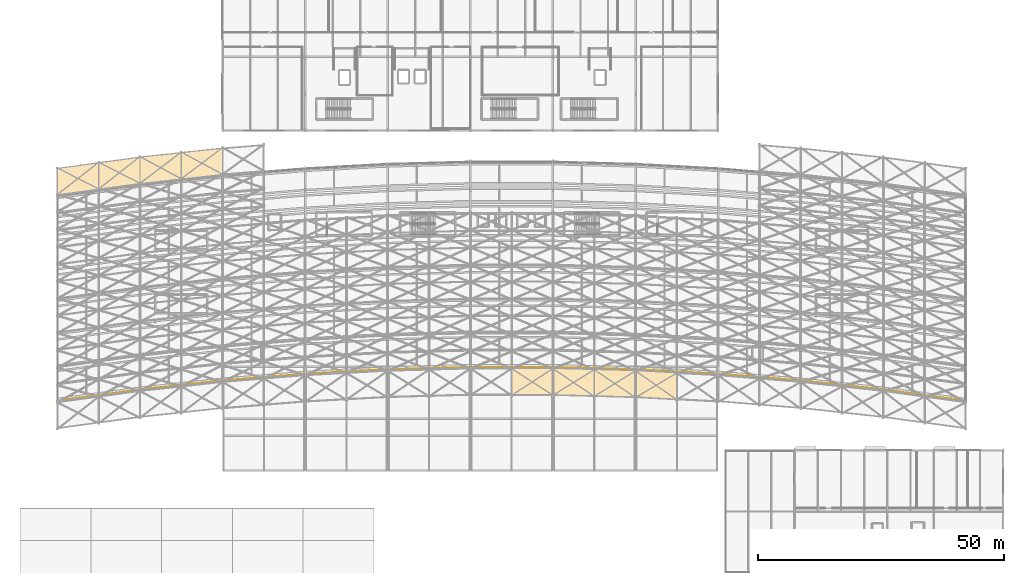
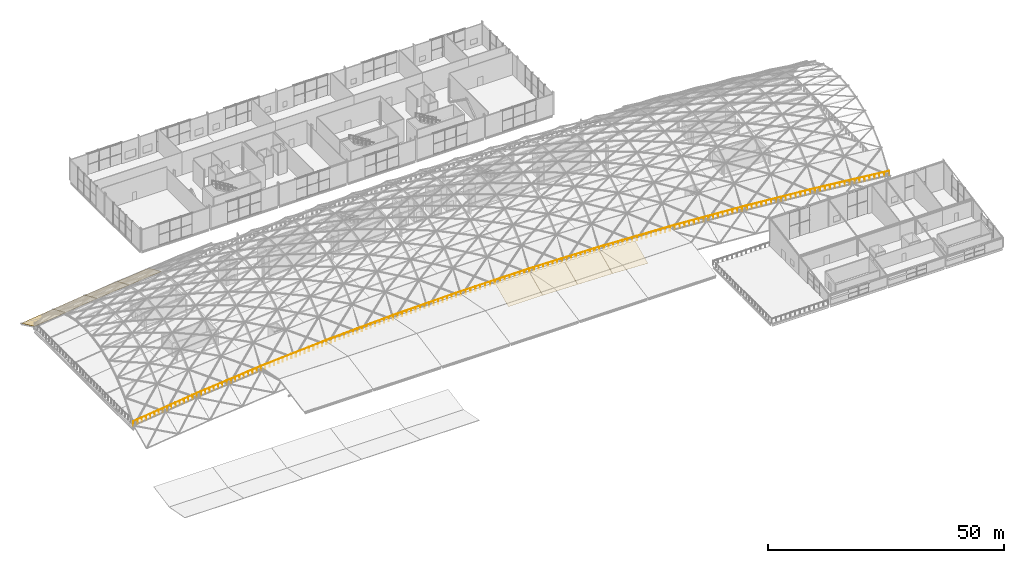
# One storey, part 91 of 100: 8 coverings, 1 railing, 5 elements without a shape of their own.
"""IFC4 building model written with IfcOpenShell, lengths in metres."""

import ifcopenshell
import ifcopenshell.guid

model = None  # the IFC model being written
_history = None  # IfcOwnerHistory: only IFC2X3 demands one
_inside = {}  # id of a spatial element -> (the spatial element, [elements in it])
_under = {}  # id of a project, library or spatial element -> (it, [spatial elements below it])
_declared = {}  # id of a project -> (the project, [libraries it declares])
_typed = {}  # id of a type object -> (the type object, [elements of that type])
_made_of = {}  # id of a material, layer set ... -> (it, [elements and type objects made of it])


def new_model(schema):
    """Start an empty IFC model of exactly this schema.

    Asked for "IFC4X3", IfcOpenShell would pick the latest addendum, in which some entities
    have other attributes; the version numbers below select the first issue.
    IFC2X3 requires an IfcOwnerHistory on every rooted entity: one is made here for all.
    """
    global model, _history
    if schema == "IFC4X3":
        model = ifcopenshell.file(schema_version=(4, 3, 0, 0))
    else:
        model = ifcopenshell.file(schema=schema)
    _inside.clear()
    _under.clear()
    _declared.clear()
    _typed.clear()
    _made_of.clear()
    _history = None
    if model.schema == "IFC2X3":
        org = make("IfcOrganization", Name="unknown")
        user = make(
            "IfcPersonAndOrganization",
            ThePerson=make("IfcPerson", FamilyName="unknown"),
            TheOrganization=org,
        )
        app = make(
            "IfcApplication",
            ApplicationDeveloper=org,
            Version="unknown",
            ApplicationFullName="unknown",
            ApplicationIdentifier="unknown",
        )
        _history = make(
            "IfcOwnerHistory",
            OwningUser=user,
            OwningApplication=app,
            ChangeAction="ADDED",
            CreationDate=0,
        )
    return model


def make(cls, **values):
    """One entity of the class cls with the attributes given. An attribute that is None is left unset."""
    return model.create_entity(
        cls, **{name: value for name, value in values.items() if value is not None}
    )


def rooted(cls, **values):
    """An entity with a GlobalId (a new one), such as an element, a storey or a relation."""
    return make(cls, GlobalId=ifcopenshell.guid.new(), OwnerHistory=_history, **values)


def si_unit(unit_type, name, prefix=None):
    """IfcSIUnit, for example si_unit("LENGTHUNIT", "METRE", prefix="MILLI")."""
    return make("IfcSIUnit", UnitType=unit_type, Prefix=prefix, Name=name)


def assignment(units):
    """IfcUnitAssignment: the units of a project."""
    return None if units is None else make("IfcUnitAssignment", Units=units)


def point(xyz):
    """IfcCartesianPoint."""
    return None if xyz is None else make("IfcCartesianPoint", Coordinates=xyz)


def direction(xyz):
    """IfcDirection."""
    return None if xyz is None else make("IfcDirection", DirectionRatios=xyz)


def frame(location, z_axis=None, x_axis=None):
    """IfcAxis2Placement3D, a coordinate frame: its origin and axes. An axis left out is left unset."""
    return make(
        "IfcAxis2Placement3D",
        Location=point(location),
        Axis=direction(z_axis),
        RefDirection=direction(x_axis),
    )


def frame_2d(location, x_axis=None):
    """IfcAxis2Placement2D, a coordinate frame in the plane: its origin and x axis."""
    return make(
        "IfcAxis2Placement2D", Location=point(location), RefDirection=direction(x_axis)
    )


def origin():
    """The frame at (0, 0, 0) with its axes left unset."""
    return frame((0.0, 0.0, 0.0))


def origin_2d():
    """The frame at (0, 0) in the plane with its x axis left unset."""
    return frame_2d((0.0, 0.0))


def place(relative_to, where):
    """IfcLocalPlacement: puts the frame where relative to a parent placement (None: the world)."""
    return make(
        "IfcLocalPlacement", PlacementRelTo=relative_to, RelativePlacement=where
    )


def context(
    kind, dimensions, precision=None, world=None, true_north=None, identifier=None
):
    """IfcGeometricRepresentationContext, for example the 3D "Model" context."""
    return make(
        "IfcGeometricRepresentationContext",
        ContextIdentifier=identifier,
        ContextType=kind,
        CoordinateSpaceDimension=dimensions,
        Precision=precision,
        WorldCoordinateSystem=world,
        TrueNorth=true_north,
    )


def subcontext(parent, identifier, kind, view, scale=None):
    """IfcGeometricRepresentationSubContext, for example "Body" below "Model"."""
    return make(
        "IfcGeometricRepresentationSubContext",
        ContextIdentifier=identifier,
        ContextType=kind,
        ParentContext=parent,
        TargetScale=scale,
        TargetView=view,
    )


def project(units=None, contexts=None):
    """IfcProject with its units and contexts."""
    return rooted(
        "IfcProject",
        Name="project",
        RepresentationContexts=contexts,
        UnitsInContext=assignment(units),
    )


def spatial(cls, under=None, at=None, **own):
    """A site, building, storey or space (cls), placed at a placement, below another one or the project."""
    s = rooted(cls, ObjectPlacement=at, **own)
    if under is not None:
        _under.setdefault(under.id(), (under, []))[1].append(s)
    return s


def polyline(points):
    """IfcPolyline through the points."""
    return make("IfcPolyline", Points=[point(p) for p in points])


def profile(cls, at=None, kind="AREA", **sizes):
    """A parametric profile (cls). Its sizes go by their IFC names, for example OverallWidth=200.0."""
    return make(cls, ProfileType=kind, Position=at, **sizes)


def circle(**sizes):
    """IfcCircleProfileDef."""
    return profile("IfcCircleProfileDef", **sizes)


def outline(outer, holes=None, kind="AREA"):
    """IfcArbitraryClosedProfileDef: a profile drawn as a closed curve; with holes, ...WithVoids."""
    if holes is None:
        return make("IfcArbitraryClosedProfileDef", ProfileType=kind, OuterCurve=outer)
    return make(
        "IfcArbitraryProfileDefWithVoids",
        ProfileType=kind,
        OuterCurve=outer,
        InnerCurves=holes,
    )


def extrude(swept, where, along, depth):
    """IfcExtrudedAreaSolid: the profile swept, set in the frame where, extruded along a direction by depth."""
    return make(
        "IfcExtrudedAreaSolid",
        SweptArea=swept,
        Position=where,
        ExtrudedDirection=direction(along),
        Depth=depth,
    )


def shape(context_of_items, identifier, shape_type, items):
    """IfcShapeRepresentation: the items that make up one representation, for example the "Body"."""
    return make(
        "IfcShapeRepresentation",
        ContextOfItems=context_of_items,
        RepresentationIdentifier=identifier,
        RepresentationType=shape_type,
        Items=items,
    )


def material(Name=None, Category=None):
    """IfcMaterial."""
    return make("IfcMaterial", Name=Name, Category=Category)


def layer(
    of_material, thickness, ventilated=None, Name=None, Category=None, Priority=None
):
    """IfcMaterialLayer: one layer of a wall or slab, of a material (None: an air gap)."""
    return make(
        "IfcMaterialLayer",
        Material=of_material,
        LayerThickness=thickness,
        IsVentilated=ventilated,
        Name=Name,
        Category=Category,
        Priority=Priority,
    )


def layer_set(layers, Name=None):
    """IfcMaterialLayerSet."""
    return make("IfcMaterialLayerSet", MaterialLayers=layers, LayerSetName=Name)


def made_of(thing, what):
    """Note that an element or type object is made of a material, layer set ...; save() writes the relation."""
    if what is not None:
        _made_of.setdefault(what.id(), (what, []))[1].append(thing)
    return thing


def type_object(cls, material=None, **own):
    """A type object (cls), such as IfcWallType, which elements share."""
    return made_of(rooted(cls, **own), material)


def element(
    cls,
    number,
    at=None,
    inside=None,
    cuts=None,
    type_object=None,
    material=None,
    context=None,
    identifier="Body",
    shape_type=None,
    held_by="IfcProductDefinitionShape",
    body=None,
    shapes=None,
    **own,
):
    """One element of the class cls, such as IfcWall. Its Tag is "e" and its number.

    at: its placement. inside: the storey or other place that contains it. cuts: it is an
    opening in that element (IfcRelVoidsElement). A single representation is given by context,
    identifier, shape_type and body (its items); several are given by shapes. held_by: the class
    of the entity that holds the representations. save() writes the other relations.
    """
    e = rooted(cls, Tag="e%d" % number, ObjectPlacement=at, **own)
    if body is not None:
        shapes = [shape(context, identifier, shape_type, body)]
    if shapes is not None:
        e.Representation = make(held_by, Representations=shapes)
    if inside is not None:
        _inside.setdefault(inside.id(), (inside, []))[1].append(e)
    if cuts is not None:
        rooted(
            "IfcRelVoidsElement", RelatingBuildingElement=cuts, RelatedOpeningElement=e
        )
    if type_object is not None:
        _typed.setdefault(type_object.id(), (type_object, []))[1].append(e)
    return made_of(e, material)


def aggregate(whole, parts):
    """IfcRelAggregates: a whole, such as a stair, and the parts it consists of."""
    return rooted("IfcRelAggregates", RelatingObject=whole, RelatedObjects=parts)


def save(model, path):
    """Write the relations noted so far, then the file.

    IfcRelAggregates (storeys below a building ...), IfcRelContainedInSpatialStructure (elements
    in a storey), IfcRelDefinesByType, IfcRelAssociatesMaterial and IfcRelDeclares: one each for
    every whole, place, type object, material and project.
    """
    for whole, parts in _under.values():
        aggregate(whole, parts)
    for where, things in _inside.values():
        rooted(
            "IfcRelContainedInSpatialStructure",
            RelatedElements=things,
            RelatingStructure=where,
        )
    for kind, things in _typed.values():
        rooted("IfcRelDefinesByType", RelatedObjects=things, RelatingType=kind)
    for what, things in _made_of.values():
        rooted("IfcRelAssociatesMaterial", RelatedObjects=things, RelatingMaterial=what)
    for by, libraries in _declared.values():
        rooted("IfcRelDeclares", RelatingContext=by, RelatedDefinitions=libraries)
    model.write(path)


model = new_model("IFC4")

# Units and contexts
model_context = context("Model", 3, precision=1e-05, world=origin(), true_north=direction((0.0, 1.0)))
body_context = subcontext(model_context, "Body", "Model", "MODEL_VIEW")
ifc_project = project(units=[si_unit("LENGTHUNIT", "METRE"), si_unit("AREAUNIT", "SQUARE_METRE"), si_unit("VOLUMEUNIT", "CUBIC_METRE"), si_unit("PLANEANGLEUNIT", "RADIAN"), si_unit("MASSUNIT", "GRAM", prefix="KILO")], contexts=[model_context])

# Site, building, storey
site_placement = place(None, origin())
site = spatial("IfcSite", under=ifc_project, at=site_placement, CompositionType="ELEMENT")
building_placement = place(site_placement, origin())
building = spatial("IfcBuilding", under=site, at=building_placement, Name="Kimbaza Rail Terminus", CompositionType="ELEMENT")
storey_placement = place(building_placement, frame((0.0, 0.0, 10.800048828125)))
storey = spatial("IfcBuildingStorey", under=building, at=storey_placement, Name="L02", CompositionType="ELEMENT", Elevation=10.800048828125)

# Roof, coverings
ifc_material_1 = material(Name="White painted steel S355", Category="steel")
roof_type = type_object("IfcRoofType", Name="ARC-RF-BARREL", PredefinedType="BARREL_ROOF", material=ifc_material_1)
roof_1_placement = place(storey_placement, origin())
roof_1 = element("IfcRoof", 1, at=roof_1_placement, inside=storey, type_object=roof_type, Name="Train Shed Woven Barrel Vault Roof Bay 01", PredefinedType="BARREL_ROOF")
ifc_material_2 = material(Name="Pearl-white fluoropolymer standing-seam roofing", Category="aluminium")
ifc_layer = layer(ifc_material_2, 0.02490234375)
ifc_layer_set = layer_set([ifc_layer], Name="Pearl-white fluoropolymer standing-seam roofing")
covering_type = type_object("IfcCoveringType", Name="ARC-COV-VAULT", PredefinedType="ROOFING", material=ifc_layer_set)
covering_1_placement = place(storey_placement, frame((21.60498046875, 89.942626953125, 0.146484375), z_axis=(-0.056562472149, 0.41314047139, 0.908909037057), x_axis=(0.990757747619, 0.135643228847, 0.0)))
covering_1 = element("IfcCovering", 2, at=covering_1_placement, type_object=covering_type, Name="Vault Standing-Seam Eave Roofing Bay 01", PredefinedType="ROOFING", context=body_context, shape_type="SweptSolid", body=[
    extrude(outline(polyline([(0.0, 0.0), (8.468403844339614, -2.220446049250313e-16), (9.214441602997093, 5.995283784997782), (0.7460377586574786, 5.995283784997782), (0.0, 0.0)])), origin(), (0.0, 0.0, -1.0), 0.02490234375),
])
covering_2_placement = place(storey_placement, frame((30.0048828125, 91.09130859375, 0.146484375), z_axis=(-0.056562472149, 0.41314047139, 0.908909037057), x_axis=(0.990757747619, 0.135643228847, 0.0)))
covering_2 = element("IfcCovering", 3, at=covering_2_placement, type_object=covering_type, Name="Vault Standing-Seam Eave Roofing Bay 01", PredefinedType="ROOFING", context=body_context, shape_type="SweptSolid", body=[
    extrude(outline(polyline([(0.0, 0.0), (8.468403844339614, -2.220446049250313e-16), (9.214441602997093, 5.995283784997782), (0.7460377586574786, 5.995283784997782), (0.0, 0.0)])), origin(), (0.0, 0.0, -1.0), 0.02490234375),
])
aggregate(roof_1, [covering_1, covering_2])

roof_2_placement = place(storey_placement, origin())
roof_2 = element("IfcRoof", 4, at=roof_2_placement, inside=storey, type_object=roof_type, Name="Train Shed Woven Barrel Vault Roof Bay 02", PredefinedType="BARREL_ROOF")
covering_3_placement = place(storey_placement, frame((38.405029296875, 92.239990234375, 0.146484375), z_axis=(-0.045133319265, 0.413381267737, 0.909438789021), x_axis=(0.994092533341, 0.108535870365, 0.0)))
covering_3 = element("IfcCovering", 5, at=covering_3_placement, type_object=covering_type, Name="Vault Standing-Seam Eave Roofing Bay 02", PredefinedType="ROOFING", context=body_context, shape_type="SweptSolid", body=[
    extrude(outline(polyline([(0.0, 0.0), (8.43975012057354, 0.0), (9.036697407581325, 6.0119592427539), (0.5969472870077849, 6.0119592427539), (0.0, 0.0)])), origin(), (0.0, 0.0, -1.0), 0.02490234375),
])
covering_4_placement = place(storey_placement, frame((46.804931640625, 93.156005859375, 0.146484375), z_axis=(-0.045132008627, 0.413381292239, 0.909438842927), x_axis=(0.994092874093, 0.108532749334, 0.0)))
covering_4 = element("IfcCovering", 6, at=covering_4_placement, type_object=covering_type, Name="Vault Standing-Seam Eave Roofing Bay 02", PredefinedType="ROOFING", context=body_context, shape_type="SweptSolid", body=[
    extrude(outline(polyline([(0.0, 0.0), (8.439992818987536, 1.1102230246251565e-16), (9.036922940321972, 6.011960947165547), (0.5969301213344362, 6.011960947165546), (0.0, 0.0)])), origin(), (0.0, 0.0, -1.0), 0.02490234375),
])
aggregate(roof_2, [covering_3, covering_4])

# Roof, covering
roof_3_placement = place(storey_placement, origin())
roof_3 = element("IfcRoof", 7, at=roof_3_placement, inside=storey, type_object=roof_type, Name="Train Shed Woven Barrel Vault Roof Bay 06", PredefinedType="BARREL_ROOF")
covering_5_placement = place(storey_placement, frame((114.0048828125, 49.187255859375, -2.377197265625), z_axis=(0.0, -0.413802944301, 0.910366477463), x_axis=(1.0, 0.0, 0.0)))
covering_5 = element("IfcCovering", 8, at=covering_5_placement, type_object=covering_type, Name="Vault Standing-Seam Eave Roofing Bay 06", PredefinedType="ROOFING", context=body_context, shape_type="SweptSolid", body=[
    extrude(outline(polyline([(0.0, 0.0), (8.39013671875, 0.0), (8.39013671875, 6.041522986797286), (0.0, 6.041522986797286), (0.0, 0.0)])), origin(), (0.0, 0.0, -1.0), 0.02490234375),
])
aggregate(roof_3, [covering_5])

# Roof, coverings
roof_4_placement = place(storey_placement, origin())
roof_4 = element("IfcRoof", 9, at=roof_4_placement, inside=storey, type_object=roof_type, Name="Train Shed Woven Barrel Vault Roof Bay 07", PredefinedType="BARREL_ROOF")
covering_6_placement = place(storey_placement, frame((122.405029296875, 49.187255859375, -2.377197265625), z_axis=(-0.011221884471, -0.413776888235, 0.910309154118), x_axis=(0.99963243882, -0.027110648421, 0.0)))
covering_6 = element("IfcCovering", 10, at=covering_6_placement, type_object=covering_type, Name="Vault Standing-Seam Eave Roofing Bay 07", PredefinedType="ROOFING", context=body_context, shape_type="SweptSolid", body=[
    extrude(outline(polyline([(0.0, 0.0), (8.39297751083847, -2.7755575615628914e-17), (8.243868944524086, 6.0396826601611835), (-0.14910856631438502, 6.0396826601611835), (0.0, 0.0)])), origin(), (0.0, 0.0, -1.0), 0.02490234375),
])
covering_7_placement = place(storey_placement, frame((130.804931640625, 48.959716796875, -2.377197265625), z_axis=(-0.011233596751, -0.413776833816, 0.910309034395), x_axis=(0.9996316715, -0.027138926541, 0.0)))
covering_7 = element("IfcCovering", 11, at=covering_7_placement, type_object=covering_type, Name="Vault Standing-Seam Eave Roofing Bay 07", PredefinedType="ROOFING", context=body_context, shape_type="SweptSolid", body=[
    extrude(outline(polyline([(0.0, 0.0), (8.393228183895808, 0.0), (8.243964087920045, 6.039678818418455), (-0.1492640959757627, 6.039678818418454), (0.0, 0.0)])), origin(), (0.0, 0.0, -1.0), 0.02490234375),
])
aggregate(roof_4, [covering_6, covering_7])

# Roof, covering
roof_5_placement = place(storey_placement, origin())
roof_5 = element("IfcRoof", 12, at=roof_5_placement, inside=storey, type_object=roof_type, Name="Train Shed Woven Barrel Vault Roof Bay 08", PredefinedType="BARREL_ROOF")
covering_8_placement = place(storey_placement, frame((139.205078125, 48.73193359375, -2.377197265625), z_axis=(-0.022487659777, -0.413698302063, 0.910136264538), x_axis=(0.998525889878, -0.054277502176, 0.0)))
covering_8 = element("IfcCovering", 13, at=covering_8_placement, type_object=covering_type, Name="Vault Standing-Seam Eave Roofing Bay 08", PredefinedType="ROOFING", context=body_context, shape_type="SweptSolid", body=[
    extrude(outline(polyline([(0.0, 0.0), (8.402278461849958, -5.551115123125783e-17), (8.103752199879613, 6.034143027051481), (-0.2985262619703441, 6.034143027051481), (0.0, 0.0)])), origin(), (0.0, 0.0, -1.0), 0.02490234375),
])
aggregate(roof_5, [covering_8])

# Railing
ifc_material_3 = material(Name="Painted galvanised steel platform perimeter guard", Category="steel")
railing_type = type_object("IfcRailingType", Name="ARC-RL-BAL115", PredefinedType="BALUSTRADE", material=ifc_material_3)
railing_placement = place(storey_placement, frame((21.60009765625, 47.97607421875, 0.0)))
element("IfcRailing", 14, at=railing_placement, inside=storey, type_object=railing_type, Name="Viaduct South Platform Edge Guard", PredefinedType="BALUSTRADE", context=body_context, shape_type="SweptSolid", body=[
    extrude(circle(Radius=0.02392578125, at=origin_2d()), frame((0.0, 0.0, 1.1259765625), z_axis=(0.990776995919, 0.135502562178, 0.0), x_axis=(-0.135502562178, 0.990776995919, 0.0)), (0.0, 0.0, 1.0), 16.956298828125),
    extrude(circle(Radius=0.02392578125, at=origin_2d()), frame((16.7998046875, 2.297607421875, 1.1259765625), z_axis=(0.994108206645, 0.108392220575, 0.0), x_axis=(-0.108392220575, 0.994108206645, 0.0)), (0.0, 0.0, 1.0), 16.899658203125),
    extrude(circle(Radius=0.02392578125, at=origin_2d()), frame((33.599853515625, 4.12939453125, 1.1259765625), z_axis=(0.99668976743, 0.081298877604, 0.0), x_axis=(-0.081298877604, 0.99668976743, 0.0)), (0.0, 0.0, 1.0), 16.85595703125),
    extrude(circle(Radius=0.02392578125, at=origin_2d()), frame((50.39990234375, 5.499755859375, 1.1259765625), z_axis=(0.998530221346, 0.054197758806, 0.0), x_axis=(-0.054197758806, 0.998530221346, 0.0)), (0.0, 0.0, 1.0), 16.82470703125),
    extrude(circle(Radius=0.02392578125, at=origin_2d()), frame((67.199951171875, 6.41162109375, 1.1259765625), z_axis=(0.999632931162, 0.027092488579, 0.0), x_axis=(-0.027092488579, 0.999632931162, 0.0)), (0.0, 0.0, 1.0), 16.80615234375),
    extrude(circle(Radius=0.02392578125, at=origin_2d()), frame((84.0, 6.866943359375, 1.1259765625), z_axis=(1.0, 0.0, 0.0), x_axis=(0.0, 1.0, 0.0)), (0.0, 0.0, 1.0), 16.7998046875),
    extrude(circle(Radius=0.02392578125, at=origin_2d()), frame((100.7998046875, 6.866943359375, 1.1259765625), z_axis=(0.999632931162, -0.027092488579, 0.0), x_axis=(0.027092488579, 0.999632931162, 0.0)), (0.0, 0.0, 1.0), 16.80615234375),
    extrude(circle(Radius=0.02392578125, at=origin_2d()), frame((117.599853515625, 6.41162109375, 1.1259765625), z_axis=(0.998530221346, -0.054197758806, 0.0), x_axis=(0.054197758806, 0.998530221346, 0.0)), (0.0, 0.0, 1.0), 16.82470703125),
    extrude(circle(Radius=0.02392578125, at=origin_2d()), frame((134.39990234375, 5.499755859375, 1.1259765625), z_axis=(0.99668976743, -0.081298877604, 0.0), x_axis=(0.081298877604, 0.99668976743, 0.0)), (0.0, 0.0, 1.0), 16.85595703125),
    extrude(circle(Radius=0.02392578125, at=origin_2d()), frame((151.199951171875, 4.12939453125, 1.1259765625), z_axis=(0.994108206645, -0.108392220575, 0.0), x_axis=(0.108392220575, 0.994108206645, 0.0)), (0.0, 0.0, 1.0), 16.899658203125),
    extrude(circle(Radius=0.02392578125, at=origin_2d()), frame((168.0, 2.297607421875, 1.1259765625), z_axis=(0.990776995919, -0.135502562178, 0.0), x_axis=(0.135502562178, 0.990776995919, 0.0)), (0.0, 0.0, 1.0), 16.956298828125),
    extrude(circle(Radius=0.02099609375, at=origin_2d()), origin(), (0.0, 0.0, 1.0), 1.101806640625),
    extrude(circle(Radius=0.02099609375, at=origin_2d()), frame((1.119873046875, 0.153076171875, 0.0)), (0.0, 0.0, 1.0), 1.101806640625),
    extrude(circle(Radius=0.02099609375, at=origin_2d()), frame((2.239990234375, 0.306396484375, 0.0)), (0.0, 0.0, 1.0), 1.101806640625),
    extrude(circle(Radius=0.02099609375, at=origin_2d()), frame((3.35986328125, 0.45947265625, 0.0)), (0.0, 0.0, 1.0), 1.101806640625),
    extrude(circle(Radius=0.02099609375, at=origin_2d()), frame((4.47998046875, 0.61279296875, 0.0)), (0.0, 0.0, 1.0), 1.101806640625),
    extrude(circle(Radius=0.02099609375, at=origin_2d()), frame((5.599853515625, 0.765869140625, 0.0)), (0.0, 0.0, 1.0), 1.101806640625),
    extrude(circle(Radius=0.02099609375, at=origin_2d()), frame((6.719970703125, 0.9189453125, 0.0)), (0.0, 0.0, 1.0), 1.101806640625),
    extrude(circle(Radius=0.02099609375, at=origin_2d()), frame((7.83984375, 1.072265625, 0.0)), (0.0, 0.0, 1.0), 1.101806640625),
    extrude(circle(Radius=0.02099609375, at=origin_2d()), frame((8.9599609375, 1.225341796875, 0.0)), (0.0, 0.0, 1.0), 1.101806640625),
    extrude(circle(Radius=0.02099609375, at=origin_2d()), frame((10.079833984375, 1.378662109375, 0.0)), (0.0, 0.0, 1.0), 1.101806640625),
    extrude(circle(Radius=0.02099609375, at=origin_2d()), frame((11.199951171875, 1.53173828125, 0.0)), (0.0, 0.0, 1.0), 1.101806640625),
    extrude(circle(Radius=0.02099609375, at=origin_2d()), frame((12.31982421875, 1.684814453125, 0.0)), (0.0, 0.0, 1.0), 1.101806640625),
    extrude(circle(Radius=0.02099609375, at=origin_2d()), frame((13.43994140625, 1.838134765625, 0.0)), (0.0, 0.0, 1.0), 1.101806640625),
    extrude(circle(Radius=0.02099609375, at=origin_2d()), frame((14.559814453125, 1.9912109375, 0.0)), (0.0, 0.0, 1.0), 1.101806640625),
    extrude(circle(Radius=0.02099609375, at=origin_2d()), frame((15.679931640625, 2.14453125, 0.0)), (0.0, 0.0, 1.0), 1.101806640625),
    extrude(circle(Radius=0.02099609375, at=origin_2d()), frame((16.7998046875, 2.297607421875, 0.0)), (0.0, 0.0, 1.0), 1.101806640625),
    extrude(circle(Radius=0.02099609375, at=origin_2d()), frame((17.919921875, 2.419677734375, 0.0)), (0.0, 0.0, 1.0), 1.101806640625),
    extrude(circle(Radius=0.02099609375, at=origin_2d()), frame((19.039794921875, 2.541748046875, 0.0)), (0.0, 0.0, 1.0), 1.101806640625),
    extrude(circle(Radius=0.02099609375, at=origin_2d()), frame((20.159912109375, 2.6640625, 0.0)), (0.0, 0.0, 1.0), 1.101806640625),
    extrude(circle(Radius=0.02099609375, at=origin_2d()), frame((21.27978515625, 2.7861328125, 0.0)), (0.0, 0.0, 1.0), 1.101806640625),
    extrude(circle(Radius=0.02099609375, at=origin_2d()), frame((22.39990234375, 2.908203125, 0.0)), (0.0, 0.0, 1.0), 1.101806640625),
    extrude(circle(Radius=0.02099609375, at=origin_2d()), frame((23.519775390625, 3.0302734375, 0.0)), (0.0, 0.0, 1.0), 1.101806640625),
    extrude(circle(Radius=0.02099609375, at=origin_2d()), frame((24.639892578125, 3.15234375, 0.0)), (0.0, 0.0, 1.0), 1.101806640625),
    extrude(circle(Radius=0.02099609375, at=origin_2d()), frame((25.759765625, 3.274658203125, 0.0)), (0.0, 0.0, 1.0), 1.101806640625),
    extrude(circle(Radius=0.02099609375, at=origin_2d()), frame((26.8798828125, 3.396728515625, 0.0)), (0.0, 0.0, 1.0), 1.101806640625),
    extrude(circle(Radius=0.02099609375, at=origin_2d()), frame((27.999755859375, 3.518798828125, 0.0)), (0.0, 0.0, 1.0), 1.101806640625),
    extrude(circle(Radius=0.02099609375, at=origin_2d()), frame((29.119873046875, 3.640869140625, 0.0)), (0.0, 0.0, 1.0), 1.101806640625),
    extrude(circle(Radius=0.02099609375, at=origin_2d()), frame((30.23974609375, 3.762939453125, 0.0)), (0.0, 0.0, 1.0), 1.101806640625),
    extrude(circle(Radius=0.02099609375, at=origin_2d()), frame((31.35986328125, 3.88525390625, 0.0)), (0.0, 0.0, 1.0), 1.101806640625),
    extrude(circle(Radius=0.02099609375, at=origin_2d()), frame((32.479736328125, 4.00732421875, 0.0)), (0.0, 0.0, 1.0), 1.101806640625),
    extrude(circle(Radius=0.02099609375, at=origin_2d()), frame((33.599853515625, 4.12939453125, 0.0)), (0.0, 0.0, 1.0), 1.101806640625),
    extrude(circle(Radius=0.02099609375, at=origin_2d()), frame((34.719970703125, 4.220703125, 0.0)), (0.0, 0.0, 1.0), 1.101806640625),
    extrude(circle(Radius=0.02099609375, at=origin_2d()), frame((35.83984375, 4.31201171875, 0.0)), (0.0, 0.0, 1.0), 1.101806640625),
    extrude(circle(Radius=0.02099609375, at=origin_2d()), frame((36.9599609375, 4.403564453125, 0.0)), (0.0, 0.0, 1.0), 1.101806640625),
    extrude(circle(Radius=0.02099609375, at=origin_2d()), frame((38.079833984375, 4.494873046875, 0.0)), (0.0, 0.0, 1.0), 1.101806640625),
    extrude(circle(Radius=0.02099609375, at=origin_2d()), frame((39.199951171875, 4.586181640625, 0.0)), (0.0, 0.0, 1.0), 1.101806640625),
    extrude(circle(Radius=0.02099609375, at=origin_2d()), frame((40.31982421875, 4.677490234375, 0.0)), (0.0, 0.0, 1.0), 1.101806640625),
    extrude(circle(Radius=0.02099609375, at=origin_2d()), frame((41.43994140625, 4.768798828125, 0.0)), (0.0, 0.0, 1.0), 1.101806640625),
    extrude(circle(Radius=0.02099609375, at=origin_2d()), frame((42.559814453125, 4.8603515625, 0.0)), (0.0, 0.0, 1.0), 1.101806640625),
    extrude(circle(Radius=0.02099609375, at=origin_2d()), frame((43.679931640625, 4.95166015625, 0.0)), (0.0, 0.0, 1.0), 1.101806640625),
    extrude(circle(Radius=0.02099609375, at=origin_2d()), frame((44.7998046875, 5.04296875, 0.0)), (0.0, 0.0, 1.0), 1.101806640625),
    extrude(circle(Radius=0.02099609375, at=origin_2d()), frame((45.919921875, 5.13427734375, 0.0)), (0.0, 0.0, 1.0), 1.101806640625),
    extrude(circle(Radius=0.02099609375, at=origin_2d()), frame((47.039794921875, 5.2255859375, 0.0)), (0.0, 0.0, 1.0), 1.101806640625),
    extrude(circle(Radius=0.02099609375, at=origin_2d()), frame((48.159912109375, 5.317138671875, 0.0)), (0.0, 0.0, 1.0), 1.101806640625),
    extrude(circle(Radius=0.02099609375, at=origin_2d()), frame((49.27978515625, 5.408447265625, 0.0)), (0.0, 0.0, 1.0), 1.101806640625),
    extrude(circle(Radius=0.02099609375, at=origin_2d()), frame((50.39990234375, 5.499755859375, 0.0)), (0.0, 0.0, 1.0), 1.101806640625),
    extrude(circle(Radius=0.02099609375, at=origin_2d()), frame((51.52001953125, 5.560546875, 0.0)), (0.0, 0.0, 1.0), 1.101806640625),
    extrude(circle(Radius=0.02099609375, at=origin_2d()), frame((52.639892578125, 5.621337890625, 0.0)), (0.0, 0.0, 1.0), 1.101806640625),
    extrude(circle(Radius=0.02099609375, at=origin_2d()), frame((53.760009765625, 5.68212890625, 0.0)), (0.0, 0.0, 1.0), 1.101806640625),
    extrude(circle(Radius=0.02099609375, at=origin_2d()), frame((54.8798828125, 5.742919921875, 0.0)), (0.0, 0.0, 1.0), 1.101806640625),
    extrude(circle(Radius=0.02099609375, at=origin_2d()), frame((56.0, 5.8037109375, 0.0)), (0.0, 0.0, 1.0), 1.101806640625),
    extrude(circle(Radius=0.02099609375, at=origin_2d()), frame((57.119873046875, 5.864501953125, 0.0)), (0.0, 0.0, 1.0), 1.101806640625),
    extrude(circle(Radius=0.02099609375, at=origin_2d()), frame((58.239990234375, 5.92529296875, 0.0)), (0.0, 0.0, 1.0), 1.101806640625),
    extrude(circle(Radius=0.02099609375, at=origin_2d()), frame((59.35986328125, 5.986083984375, 0.0)), (0.0, 0.0, 1.0), 1.101806640625),
    extrude(circle(Radius=0.02099609375, at=origin_2d()), frame((60.47998046875, 6.046875, 0.0)), (0.0, 0.0, 1.0), 1.101806640625),
    extrude(circle(Radius=0.02099609375, at=origin_2d()), frame((61.599853515625, 6.107666015625, 0.0)), (0.0, 0.0, 1.0), 1.101806640625),
    extrude(circle(Radius=0.02099609375, at=origin_2d()), frame((62.719970703125, 6.16845703125, 0.0)), (0.0, 0.0, 1.0), 1.101806640625),
    extrude(circle(Radius=0.02099609375, at=origin_2d()), frame((63.83984375, 6.229248046875, 0.0)), (0.0, 0.0, 1.0), 1.101806640625),
    extrude(circle(Radius=0.02099609375, at=origin_2d()), frame((64.9599609375, 6.2900390625, 0.0)), (0.0, 0.0, 1.0), 1.101806640625),
    extrude(circle(Radius=0.02099609375, at=origin_2d()), frame((66.079833984375, 6.350830078125, 0.0)), (0.0, 0.0, 1.0), 1.101806640625),
    extrude(circle(Radius=0.02099609375, at=origin_2d()), frame((67.199951171875, 6.41162109375, 0.0)), (0.0, 0.0, 1.0), 1.101806640625),
    extrude(circle(Radius=0.02099609375, at=origin_2d()), frame((68.320068359375, 6.44189453125, 0.0)), (0.0, 0.0, 1.0), 1.101806640625),
    extrude(circle(Radius=0.02099609375, at=origin_2d()), frame((69.43994140625, 6.472412109375, 0.0)), (0.0, 0.0, 1.0), 1.101806640625),
    extrude(circle(Radius=0.02099609375, at=origin_2d()), frame((70.56005859375, 6.502685546875, 0.0)), (0.0, 0.0, 1.0), 1.101806640625),
    extrude(circle(Radius=0.02099609375, at=origin_2d()), frame((71.679931640625, 6.532958984375, 0.0)), (0.0, 0.0, 1.0), 1.101806640625),
    extrude(circle(Radius=0.02099609375, at=origin_2d()), frame((72.800048828125, 6.5634765625, 0.0)), (0.0, 0.0, 1.0), 1.101806640625),
    extrude(circle(Radius=0.02099609375, at=origin_2d()), frame((73.919921875, 6.59375, 0.0)), (0.0, 0.0, 1.0), 1.101806640625),
    extrude(circle(Radius=0.02099609375, at=origin_2d()), frame((75.0400390625, 6.6240234375, 0.0)), (0.0, 0.0, 1.0), 1.101806640625),
    extrude(circle(Radius=0.02099609375, at=origin_2d()), frame((76.159912109375, 6.654541015625, 0.0)), (0.0, 0.0, 1.0), 1.101806640625),
    extrude(circle(Radius=0.02099609375, at=origin_2d()), frame((77.280029296875, 6.684814453125, 0.0)), (0.0, 0.0, 1.0), 1.101806640625),
    extrude(circle(Radius=0.02099609375, at=origin_2d()), frame((78.39990234375, 6.715087890625, 0.0)), (0.0, 0.0, 1.0), 1.101806640625),
    extrude(circle(Radius=0.02099609375, at=origin_2d()), frame((79.52001953125, 6.74560546875, 0.0)), (0.0, 0.0, 1.0), 1.101806640625),
    extrude(circle(Radius=0.02099609375, at=origin_2d()), frame((80.639892578125, 6.77587890625, 0.0)), (0.0, 0.0, 1.0), 1.101806640625),
    extrude(circle(Radius=0.02099609375, at=origin_2d()), frame((81.760009765625, 6.80615234375, 0.0)), (0.0, 0.0, 1.0), 1.101806640625),
    extrude(circle(Radius=0.02099609375, at=origin_2d()), frame((82.8798828125, 6.836669921875, 0.0)), (0.0, 0.0, 1.0), 1.101806640625),
    extrude(circle(Radius=0.02099609375, at=origin_2d()), frame((84.0, 6.866943359375, 0.0)), (0.0, 0.0, 1.0), 1.101806640625),
    extrude(circle(Radius=0.02099609375, at=origin_2d()), frame((85.199951171875, 6.866943359375, 0.0)), (0.0, 0.0, 1.0), 1.101806640625),
    extrude(circle(Radius=0.02099609375, at=origin_2d()), frame((86.39990234375, 6.866943359375, 0.0)), (0.0, 0.0, 1.0), 1.101806640625),
    extrude(circle(Radius=0.02099609375, at=origin_2d()), frame((87.599853515625, 6.866943359375, 0.0)), (0.0, 0.0, 1.0), 1.101806640625),
    extrude(circle(Radius=0.02099609375, at=origin_2d()), frame((88.800048828125, 6.866943359375, 0.0)), (0.0, 0.0, 1.0), 1.101806640625),
    extrude(circle(Radius=0.02099609375, at=origin_2d()), frame((90.0, 6.866943359375, 0.0)), (0.0, 0.0, 1.0), 1.101806640625),
    extrude(circle(Radius=0.02099609375, at=origin_2d()), frame((91.199951171875, 6.866943359375, 0.0)), (0.0, 0.0, 1.0), 1.101806640625),
    extrude(circle(Radius=0.02099609375, at=origin_2d()), frame((92.39990234375, 6.866943359375, 0.0)), (0.0, 0.0, 1.0), 1.101806640625),
    extrude(circle(Radius=0.02099609375, at=origin_2d()), frame((93.599853515625, 6.866943359375, 0.0)), (0.0, 0.0, 1.0), 1.101806640625),
    extrude(circle(Radius=0.02099609375, at=origin_2d()), frame((94.7998046875, 6.866943359375, 0.0)), (0.0, 0.0, 1.0), 1.101806640625),
    extrude(circle(Radius=0.02099609375, at=origin_2d()), frame((95.999755859375, 6.866943359375, 0.0)), (0.0, 0.0, 1.0), 1.101806640625),
    extrude(circle(Radius=0.02099609375, at=origin_2d()), frame((97.199951171875, 6.866943359375, 0.0)), (0.0, 0.0, 1.0), 1.101806640625),
    extrude(circle(Radius=0.02099609375, at=origin_2d()), frame((98.39990234375, 6.866943359375, 0.0)), (0.0, 0.0, 1.0), 1.101806640625),
    extrude(circle(Radius=0.02099609375, at=origin_2d()), frame((99.599853515625, 6.866943359375, 0.0)), (0.0, 0.0, 1.0), 1.101806640625),
    extrude(circle(Radius=0.02099609375, at=origin_2d()), frame((100.7998046875, 6.866943359375, 0.0)), (0.0, 0.0, 1.0), 1.101806640625),
    extrude(circle(Radius=0.02099609375, at=origin_2d()), frame((101.919921875, 6.836669921875, 0.0)), (0.0, 0.0, 1.0), 1.101806640625),
    extrude(circle(Radius=0.02099609375, at=origin_2d()), frame((103.039794921875, 6.80615234375, 0.0)), (0.0, 0.0, 1.0), 1.101806640625),
    extrude(circle(Radius=0.02099609375, at=origin_2d()), frame((104.159912109375, 6.77587890625, 0.0)), (0.0, 0.0, 1.0), 1.101806640625),
    extrude(circle(Radius=0.02099609375, at=origin_2d()), frame((105.27978515625, 6.74560546875, 0.0)), (0.0, 0.0, 1.0), 1.101806640625),
    extrude(circle(Radius=0.02099609375, at=origin_2d()), frame((106.39990234375, 6.715087890625, 0.0)), (0.0, 0.0, 1.0), 1.101806640625),
    extrude(circle(Radius=0.02099609375, at=origin_2d()), frame((107.519775390625, 6.684814453125, 0.0)), (0.0, 0.0, 1.0), 1.101806640625),
    extrude(circle(Radius=0.02099609375, at=origin_2d()), frame((108.639892578125, 6.654541015625, 0.0)), (0.0, 0.0, 1.0), 1.101806640625),
    extrude(circle(Radius=0.02099609375, at=origin_2d()), frame((109.759765625, 6.6240234375, 0.0)), (0.0, 0.0, 1.0), 1.101806640625),
    extrude(circle(Radius=0.02099609375, at=origin_2d()), frame((110.8798828125, 6.59375, 0.0)), (0.0, 0.0, 1.0), 1.101806640625),
    extrude(circle(Radius=0.02099609375, at=origin_2d()), frame((111.999755859375, 6.5634765625, 0.0)), (0.0, 0.0, 1.0), 1.101806640625),
    extrude(circle(Radius=0.02099609375, at=origin_2d()), frame((113.119873046875, 6.532958984375, 0.0)), (0.0, 0.0, 1.0), 1.101806640625),
    extrude(circle(Radius=0.02099609375, at=origin_2d()), frame((114.23974609375, 6.502685546875, 0.0)), (0.0, 0.0, 1.0), 1.101806640625),
    extrude(circle(Radius=0.02099609375, at=origin_2d()), frame((115.35986328125, 6.472412109375, 0.0)), (0.0, 0.0, 1.0), 1.101806640625),
    extrude(circle(Radius=0.02099609375, at=origin_2d()), frame((116.479736328125, 6.44189453125, 0.0)), (0.0, 0.0, 1.0), 1.101806640625),
    extrude(circle(Radius=0.02099609375, at=origin_2d()), frame((117.599853515625, 6.41162109375, 0.0)), (0.0, 0.0, 1.0), 1.101806640625),
    extrude(circle(Radius=0.02099609375, at=origin_2d()), frame((118.719970703125, 6.350830078125, 0.0)), (0.0, 0.0, 1.0), 1.101806640625),
    extrude(circle(Radius=0.02099609375, at=origin_2d()), frame((119.83984375, 6.2900390625, 0.0)), (0.0, 0.0, 1.0), 1.101806640625),
    extrude(circle(Radius=0.02099609375, at=origin_2d()), frame((120.9599609375, 6.229248046875, 0.0)), (0.0, 0.0, 1.0), 1.101806640625),
    extrude(circle(Radius=0.02099609375, at=origin_2d()), frame((122.079833984375, 6.16845703125, 0.0)), (0.0, 0.0, 1.0), 1.101806640625),
    extrude(circle(Radius=0.02099609375, at=origin_2d()), frame((123.199951171875, 6.107666015625, 0.0)), (0.0, 0.0, 1.0), 1.101806640625),
    extrude(circle(Radius=0.02099609375, at=origin_2d()), frame((124.31982421875, 6.046875, 0.0)), (0.0, 0.0, 1.0), 1.101806640625),
    extrude(circle(Radius=0.02099609375, at=origin_2d()), frame((125.43994140625, 5.986083984375, 0.0)), (0.0, 0.0, 1.0), 1.101806640625),
    extrude(circle(Radius=0.02099609375, at=origin_2d()), frame((126.559814453125, 5.92529296875, 0.0)), (0.0, 0.0, 1.0), 1.101806640625),
    extrude(circle(Radius=0.02099609375, at=origin_2d()), frame((127.679931640625, 5.864501953125, 0.0)), (0.0, 0.0, 1.0), 1.101806640625),
    extrude(circle(Radius=0.02099609375, at=origin_2d()), frame((128.7998046875, 5.8037109375, 0.0)), (0.0, 0.0, 1.0), 1.101806640625),
    extrude(circle(Radius=0.02099609375, at=origin_2d()), frame((129.919921875, 5.742919921875, 0.0)), (0.0, 0.0, 1.0), 1.101806640625),
    extrude(circle(Radius=0.02099609375, at=origin_2d()), frame((131.039794921875, 5.68212890625, 0.0)), (0.0, 0.0, 1.0), 1.101806640625),
    extrude(circle(Radius=0.02099609375, at=origin_2d()), frame((132.159912109375, 5.621337890625, 0.0)), (0.0, 0.0, 1.0), 1.101806640625),
    extrude(circle(Radius=0.02099609375, at=origin_2d()), frame((133.27978515625, 5.560546875, 0.0)), (0.0, 0.0, 1.0), 1.101806640625),
    extrude(circle(Radius=0.02099609375, at=origin_2d()), frame((134.39990234375, 5.499755859375, 0.0)), (0.0, 0.0, 1.0), 1.101806640625),
    extrude(circle(Radius=0.02099609375, at=origin_2d()), frame((135.52001953125, 5.408447265625, 0.0)), (0.0, 0.0, 1.0), 1.101806640625),
    extrude(circle(Radius=0.02099609375, at=origin_2d()), frame((136.639892578125, 5.317138671875, 0.0)), (0.0, 0.0, 1.0), 1.101806640625),
    extrude(circle(Radius=0.02099609375, at=origin_2d()), frame((137.760009765625, 5.2255859375, 0.0)), (0.0, 0.0, 1.0), 1.101806640625),
    extrude(circle(Radius=0.02099609375, at=origin_2d()), frame((138.8798828125, 5.13427734375, 0.0)), (0.0, 0.0, 1.0), 1.101806640625),
    extrude(circle(Radius=0.02099609375, at=origin_2d()), frame((140.0, 5.04296875, 0.0)), (0.0, 0.0, 1.0), 1.101806640625),
    extrude(circle(Radius=0.02099609375, at=origin_2d()), frame((141.119873046875, 4.95166015625, 0.0)), (0.0, 0.0, 1.0), 1.101806640625),
    extrude(circle(Radius=0.02099609375, at=origin_2d()), frame((142.239990234375, 4.8603515625, 0.0)), (0.0, 0.0, 1.0), 1.101806640625),
    extrude(circle(Radius=0.02099609375, at=origin_2d()), frame((143.35986328125, 4.768798828125, 0.0)), (0.0, 0.0, 1.0), 1.101806640625),
    extrude(circle(Radius=0.02099609375, at=origin_2d()), frame((144.47998046875, 4.677490234375, 0.0)), (0.0, 0.0, 1.0), 1.101806640625),
    extrude(circle(Radius=0.02099609375, at=origin_2d()), frame((145.599853515625, 4.586181640625, 0.0)), (0.0, 0.0, 1.0), 1.101806640625),
    extrude(circle(Radius=0.02099609375, at=origin_2d()), frame((146.719970703125, 4.494873046875, 0.0)), (0.0, 0.0, 1.0), 1.101806640625),
    extrude(circle(Radius=0.02099609375, at=origin_2d()), frame((147.83984375, 4.403564453125, 0.0)), (0.0, 0.0, 1.0), 1.101806640625),
    extrude(circle(Radius=0.02099609375, at=origin_2d()), frame((148.9599609375, 4.31201171875, 0.0)), (0.0, 0.0, 1.0), 1.101806640625),
    extrude(circle(Radius=0.02099609375, at=origin_2d()), frame((150.079833984375, 4.220703125, 0.0)), (0.0, 0.0, 1.0), 1.101806640625),
    extrude(circle(Radius=0.02099609375, at=origin_2d()), frame((151.199951171875, 4.12939453125, 0.0)), (0.0, 0.0, 1.0), 1.101806640625),
    extrude(circle(Radius=0.02099609375, at=origin_2d()), frame((152.320068359375, 4.00732421875, 0.0)), (0.0, 0.0, 1.0), 1.101806640625),
    extrude(circle(Radius=0.02099609375, at=origin_2d()), frame((153.43994140625, 3.88525390625, 0.0)), (0.0, 0.0, 1.0), 1.101806640625),
    extrude(circle(Radius=0.02099609375, at=origin_2d()), frame((154.56005859375, 3.762939453125, 0.0)), (0.0, 0.0, 1.0), 1.101806640625),
    extrude(circle(Radius=0.02099609375, at=origin_2d()), frame((155.679931640625, 3.640869140625, 0.0)), (0.0, 0.0, 1.0), 1.101806640625),
    extrude(circle(Radius=0.02099609375, at=origin_2d()), frame((156.800048828125, 3.518798828125, 0.0)), (0.0, 0.0, 1.0), 1.101806640625),
    extrude(circle(Radius=0.02099609375, at=origin_2d()), frame((157.919921875, 3.396728515625, 0.0)), (0.0, 0.0, 1.0), 1.101806640625),
    extrude(circle(Radius=0.02099609375, at=origin_2d()), frame((159.0400390625, 3.274658203125, 0.0)), (0.0, 0.0, 1.0), 1.101806640625),
    extrude(circle(Radius=0.02099609375, at=origin_2d()), frame((160.159912109375, 3.15234375, 0.0)), (0.0, 0.0, 1.0), 1.101806640625),
    extrude(circle(Radius=0.02099609375, at=origin_2d()), frame((161.280029296875, 3.0302734375, 0.0)), (0.0, 0.0, 1.0), 1.101806640625),
    extrude(circle(Radius=0.02099609375, at=origin_2d()), frame((162.39990234375, 2.908203125, 0.0)), (0.0, 0.0, 1.0), 1.101806640625),
    extrude(circle(Radius=0.02099609375, at=origin_2d()), frame((163.52001953125, 2.7861328125, 0.0)), (0.0, 0.0, 1.0), 1.101806640625),
    extrude(circle(Radius=0.02099609375, at=origin_2d()), frame((164.639892578125, 2.6640625, 0.0)), (0.0, 0.0, 1.0), 1.101806640625),
    extrude(circle(Radius=0.02099609375, at=origin_2d()), frame((165.760009765625, 2.541748046875, 0.0)), (0.0, 0.0, 1.0), 1.101806640625),
    extrude(circle(Radius=0.02099609375, at=origin_2d()), frame((166.8798828125, 2.419677734375, 0.0)), (0.0, 0.0, 1.0), 1.101806640625),
    extrude(circle(Radius=0.02099609375, at=origin_2d()), frame((168.0, 2.297607421875, 0.0)), (0.0, 0.0, 1.0), 1.101806640625),
    extrude(circle(Radius=0.02099609375, at=origin_2d()), frame((169.119873046875, 2.14453125, 0.0)), (0.0, 0.0, 1.0), 1.101806640625),
    extrude(circle(Radius=0.02099609375, at=origin_2d()), frame((170.239990234375, 1.9912109375, 0.0)), (0.0, 0.0, 1.0), 1.101806640625),
    extrude(circle(Radius=0.02099609375, at=origin_2d()), frame((171.35986328125, 1.838134765625, 0.0)), (0.0, 0.0, 1.0), 1.101806640625),
    extrude(circle(Radius=0.02099609375, at=origin_2d()), frame((172.47998046875, 1.684814453125, 0.0)), (0.0, 0.0, 1.0), 1.101806640625),
    extrude(circle(Radius=0.02099609375, at=origin_2d()), frame((173.599853515625, 1.53173828125, 0.0)), (0.0, 0.0, 1.0), 1.101806640625),
    extrude(circle(Radius=0.02099609375, at=origin_2d()), frame((174.719970703125, 1.378662109375, 0.0)), (0.0, 0.0, 1.0), 1.101806640625),
    extrude(circle(Radius=0.02099609375, at=origin_2d()), frame((175.83984375, 1.225341796875, 0.0)), (0.0, 0.0, 1.0), 1.101806640625),
    extrude(circle(Radius=0.02099609375, at=origin_2d()), frame((176.9599609375, 1.072265625, 0.0)), (0.0, 0.0, 1.0), 1.101806640625),
    extrude(circle(Radius=0.02099609375, at=origin_2d()), frame((178.079833984375, 0.9189453125, 0.0)), (0.0, 0.0, 1.0), 1.101806640625),
    extrude(circle(Radius=0.02099609375, at=origin_2d()), frame((179.199951171875, 0.765869140625, 0.0)), (0.0, 0.0, 1.0), 1.101806640625),
    extrude(circle(Radius=0.02099609375, at=origin_2d()), frame((180.31982421875, 0.61279296875, 0.0)), (0.0, 0.0, 1.0), 1.101806640625),
    extrude(circle(Radius=0.02099609375, at=origin_2d()), frame((181.43994140625, 0.45947265625, 0.0)), (0.0, 0.0, 1.0), 1.101806640625),
    extrude(circle(Radius=0.02099609375, at=origin_2d()), frame((182.559814453125, 0.306396484375, 0.0)), (0.0, 0.0, 1.0), 1.101806640625),
    extrude(circle(Radius=0.02099609375, at=origin_2d()), frame((183.679931640625, 0.153076171875, 0.0)), (0.0, 0.0, 1.0), 1.101806640625),
    extrude(circle(Radius=0.02099609375, at=origin_2d()), frame((184.7998046875, 0.0, 0.0)), (0.0, 0.0, 1.0), 1.101806640625),
])

save(model, "model.ifc")
